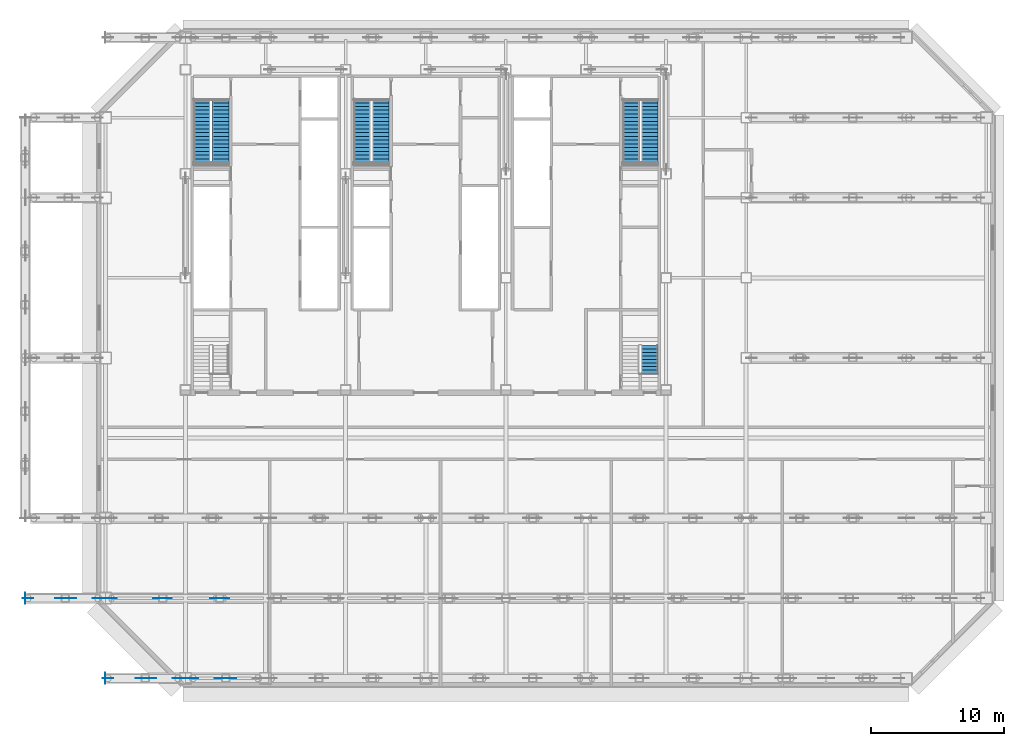
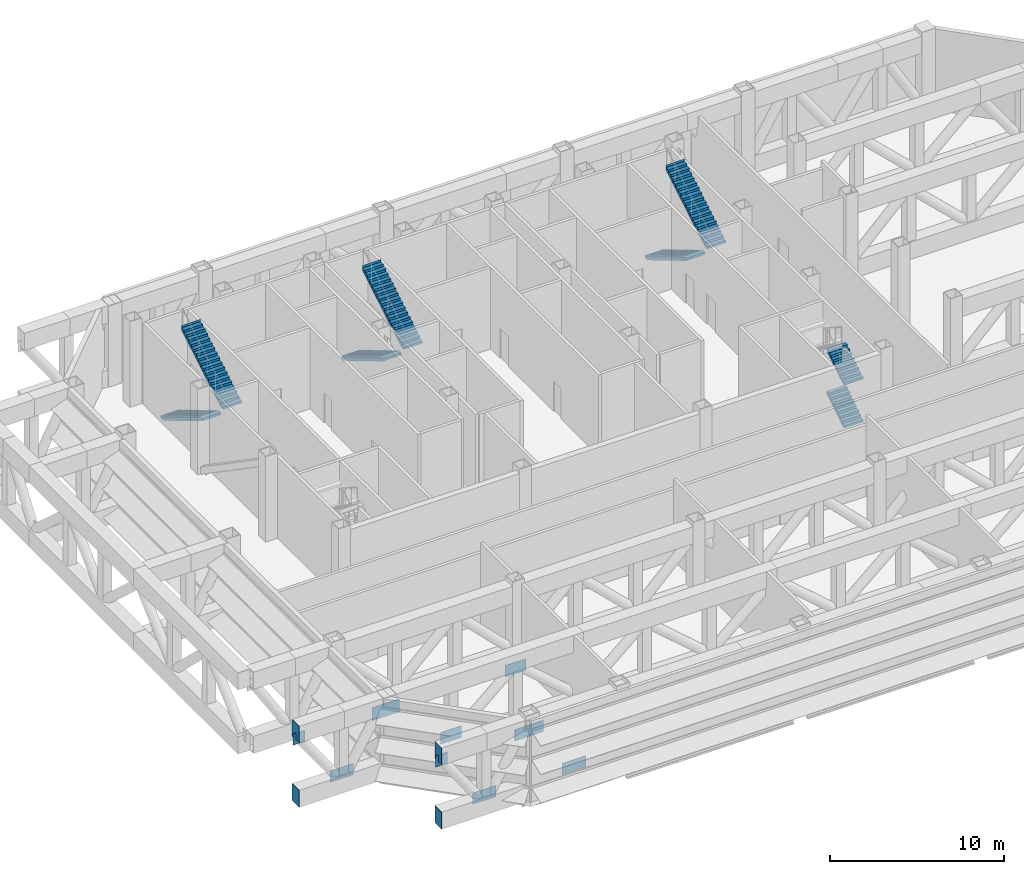
# One storey, part 10 of 17: 13 discrete accessories, 8 stair flights, 4 elements without a shape of their own.
"""IFC4 building model written with IfcOpenShell, lengths in metres."""

import ifcopenshell
import ifcopenshell.guid

model = None  # the IFC model being written
_history = None  # IfcOwnerHistory: only IFC2X3 demands one
_inside = {}  # id of a spatial element -> (the spatial element, [elements in it])
_under = {}  # id of a project, library or spatial element -> (it, [spatial elements below it])
_declared = {}  # id of a project -> (the project, [libraries it declares])
_typed = {}  # id of a type object -> (the type object, [elements of that type])
_made_of = {}  # id of a material, layer set ... -> (it, [elements and type objects made of it])


def new_model(schema):
    """Start an empty IFC model of exactly this schema.

    Asked for "IFC4X3", IfcOpenShell would pick the latest addendum, in which some entities
    have other attributes; the version numbers below select the first issue.
    IFC2X3 requires an IfcOwnerHistory on every rooted entity: one is made here for all.
    """
    global model, _history
    if schema == "IFC4X3":
        model = ifcopenshell.file(schema_version=(4, 3, 0, 0))
    else:
        model = ifcopenshell.file(schema=schema)
    _inside.clear()
    _under.clear()
    _declared.clear()
    _typed.clear()
    _made_of.clear()
    _history = None
    if model.schema == "IFC2X3":
        org = make("IfcOrganization", Name="unknown")
        user = make(
            "IfcPersonAndOrganization",
            ThePerson=make("IfcPerson", FamilyName="unknown"),
            TheOrganization=org,
        )
        app = make(
            "IfcApplication",
            ApplicationDeveloper=org,
            Version="unknown",
            ApplicationFullName="unknown",
            ApplicationIdentifier="unknown",
        )
        _history = make(
            "IfcOwnerHistory",
            OwningUser=user,
            OwningApplication=app,
            ChangeAction="ADDED",
            CreationDate=0,
        )
    return model


def make(cls, **values):
    """One entity of the class cls with the attributes given. An attribute that is None is left unset."""
    return model.create_entity(
        cls, **{name: value for name, value in values.items() if value is not None}
    )


def rooted(cls, **values):
    """An entity with a GlobalId (a new one), such as an element, a storey or a relation."""
    return make(cls, GlobalId=ifcopenshell.guid.new(), OwnerHistory=_history, **values)


def si_unit(unit_type, name, prefix=None):
    """IfcSIUnit, for example si_unit("LENGTHUNIT", "METRE", prefix="MILLI")."""
    return make("IfcSIUnit", UnitType=unit_type, Prefix=prefix, Name=name)


def assignment(units):
    """IfcUnitAssignment: the units of a project."""
    return None if units is None else make("IfcUnitAssignment", Units=units)


def point(xyz):
    """IfcCartesianPoint."""
    return None if xyz is None else make("IfcCartesianPoint", Coordinates=xyz)


def direction(xyz):
    """IfcDirection."""
    return None if xyz is None else make("IfcDirection", DirectionRatios=xyz)


def frame(location, z_axis=None, x_axis=None):
    """IfcAxis2Placement3D, a coordinate frame: its origin and axes. An axis left out is left unset."""
    return make(
        "IfcAxis2Placement3D",
        Location=point(location),
        Axis=direction(z_axis),
        RefDirection=direction(x_axis),
    )


def frame_2d(location, x_axis=None):
    """IfcAxis2Placement2D, a coordinate frame in the plane: its origin and x axis."""
    return make(
        "IfcAxis2Placement2D", Location=point(location), RefDirection=direction(x_axis)
    )


def origin():
    """The frame at (0, 0, 0) with its axes left unset."""
    return frame((0.0, 0.0, 0.0))


def origin_2d():
    """The frame at (0, 0) in the plane with its x axis left unset."""
    return frame_2d((0.0, 0.0))


def place(relative_to, where):
    """IfcLocalPlacement: puts the frame where relative to a parent placement (None: the world)."""
    return make(
        "IfcLocalPlacement", PlacementRelTo=relative_to, RelativePlacement=where
    )


def context(
    kind, dimensions, precision=None, world=None, true_north=None, identifier=None
):
    """IfcGeometricRepresentationContext, for example the 3D "Model" context."""
    return make(
        "IfcGeometricRepresentationContext",
        ContextIdentifier=identifier,
        ContextType=kind,
        CoordinateSpaceDimension=dimensions,
        Precision=precision,
        WorldCoordinateSystem=world,
        TrueNorth=true_north,
    )


def subcontext(parent, identifier, kind, view, scale=None):
    """IfcGeometricRepresentationSubContext, for example "Body" below "Model"."""
    return make(
        "IfcGeometricRepresentationSubContext",
        ContextIdentifier=identifier,
        ContextType=kind,
        ParentContext=parent,
        TargetScale=scale,
        TargetView=view,
    )


def project(units=None, contexts=None):
    """IfcProject with its units and contexts."""
    return rooted(
        "IfcProject",
        Name="project",
        RepresentationContexts=contexts,
        UnitsInContext=assignment(units),
    )


def spatial(cls, under=None, at=None, **own):
    """A site, building, storey or space (cls), placed at a placement, below another one or the project."""
    s = rooted(cls, ObjectPlacement=at, **own)
    if under is not None:
        _under.setdefault(under.id(), (under, []))[1].append(s)
    return s


def polyline(points):
    """IfcPolyline through the points."""
    return make("IfcPolyline", Points=[point(p) for p in points])


def profile(cls, at=None, kind="AREA", **sizes):
    """A parametric profile (cls). Its sizes go by their IFC names, for example OverallWidth=200.0."""
    return make(cls, ProfileType=kind, Position=at, **sizes)


def rectangle(**sizes):
    """IfcRectangleProfileDef."""
    return profile("IfcRectangleProfileDef", **sizes)


def outline(outer, holes=None, kind="AREA"):
    """IfcArbitraryClosedProfileDef: a profile drawn as a closed curve; with holes, ...WithVoids."""
    if holes is None:
        return make("IfcArbitraryClosedProfileDef", ProfileType=kind, OuterCurve=outer)
    return make(
        "IfcArbitraryProfileDefWithVoids",
        ProfileType=kind,
        OuterCurve=outer,
        InnerCurves=holes,
    )


def extrude(swept, where, along, depth):
    """IfcExtrudedAreaSolid: the profile swept, set in the frame where, extruded along a direction by depth."""
    return make(
        "IfcExtrudedAreaSolid",
        SweptArea=swept,
        Position=where,
        ExtrudedDirection=direction(along),
        Depth=depth,
    )


def shape(context_of_items, identifier, shape_type, items):
    """IfcShapeRepresentation: the items that make up one representation, for example the "Body"."""
    return make(
        "IfcShapeRepresentation",
        ContextOfItems=context_of_items,
        RepresentationIdentifier=identifier,
        RepresentationType=shape_type,
        Items=items,
    )


def material(Name=None, Category=None):
    """IfcMaterial."""
    return make("IfcMaterial", Name=Name, Category=Category)


def layer(
    of_material, thickness, ventilated=None, Name=None, Category=None, Priority=None
):
    """IfcMaterialLayer: one layer of a wall or slab, of a material (None: an air gap)."""
    return make(
        "IfcMaterialLayer",
        Material=of_material,
        LayerThickness=thickness,
        IsVentilated=ventilated,
        Name=Name,
        Category=Category,
        Priority=Priority,
    )


def layer_set(layers, Name=None):
    """IfcMaterialLayerSet."""
    return make("IfcMaterialLayerSet", MaterialLayers=layers, LayerSetName=Name)


def made_of(thing, what):
    """Note that an element or type object is made of a material, layer set ...; save() writes the relation."""
    if what is not None:
        _made_of.setdefault(what.id(), (what, []))[1].append(thing)
    return thing


def type_object(cls, material=None, **own):
    """A type object (cls), such as IfcWallType, which elements share."""
    return made_of(rooted(cls, **own), material)


def element(
    cls,
    number,
    at=None,
    inside=None,
    cuts=None,
    type_object=None,
    material=None,
    context=None,
    identifier="Body",
    shape_type=None,
    held_by="IfcProductDefinitionShape",
    body=None,
    shapes=None,
    **own,
):
    """One element of the class cls, such as IfcWall. Its Tag is "e" and its number.

    at: its placement. inside: the storey or other place that contains it. cuts: it is an
    opening in that element (IfcRelVoidsElement). A single representation is given by context,
    identifier, shape_type and body (its items); several are given by shapes. held_by: the class
    of the entity that holds the representations. save() writes the other relations.
    """
    e = rooted(cls, Tag="e%d" % number, ObjectPlacement=at, **own)
    if body is not None:
        shapes = [shape(context, identifier, shape_type, body)]
    if shapes is not None:
        e.Representation = make(held_by, Representations=shapes)
    if inside is not None:
        _inside.setdefault(inside.id(), (inside, []))[1].append(e)
    if cuts is not None:
        rooted(
            "IfcRelVoidsElement", RelatingBuildingElement=cuts, RelatedOpeningElement=e
        )
    if type_object is not None:
        _typed.setdefault(type_object.id(), (type_object, []))[1].append(e)
    return made_of(e, material)


def aggregate(whole, parts):
    """IfcRelAggregates: a whole, such as a stair, and the parts it consists of."""
    return rooted("IfcRelAggregates", RelatingObject=whole, RelatedObjects=parts)


def save(model, path):
    """Write the relations noted so far, then the file.

    IfcRelAggregates (storeys below a building ...), IfcRelContainedInSpatialStructure (elements
    in a storey), IfcRelDefinesByType, IfcRelAssociatesMaterial and IfcRelDeclares: one each for
    every whole, place, type object, material and project.
    """
    for whole, parts in _under.values():
        aggregate(whole, parts)
    for where, things in _inside.values():
        rooted(
            "IfcRelContainedInSpatialStructure",
            RelatedElements=things,
            RelatingStructure=where,
        )
    for kind, things in _typed.values():
        rooted("IfcRelDefinesByType", RelatedObjects=things, RelatingType=kind)
    for what, things in _made_of.values():
        rooted("IfcRelAssociatesMaterial", RelatedObjects=things, RelatingMaterial=what)
    for by, libraries in _declared.values():
        rooted("IfcRelDeclares", RelatingContext=by, RelatedDefinitions=libraries)
    model.write(path)


model = new_model("IFC4")

# Units and contexts
model_context = context("Model", 3, precision=1e-05, world=origin(), true_north=direction((0.0, 1.0)))
body_context = subcontext(model_context, "Body", "Model", "MODEL_VIEW")
ifc_project = project(units=[si_unit("LENGTHUNIT", "METRE"), si_unit("AREAUNIT", "SQUARE_METRE"), si_unit("VOLUMEUNIT", "CUBIC_METRE"), si_unit("PLANEANGLEUNIT", "RADIAN"), si_unit("MASSUNIT", "GRAM", prefix="KILO")], contexts=[model_context])

# Site, building, storey
site_placement = place(None, origin())
site = spatial("IfcSite", under=ifc_project, at=site_placement, CompositionType="ELEMENT")
building_placement = place(site_placement, origin())
building = spatial("IfcBuilding", under=site, at=building_placement, Name="Sorahane Residences", CompositionType="ELEMENT")
storey_placement = place(building_placement, frame((0.0, 0.0, 90.199951171875)))
storey = spatial("IfcBuildingStorey", under=building, at=storey_placement, Name="L19", CompositionType="ELEMENT", Elevation=90.199951171875)

# Stair, stair flights
ifc_material_1 = material(Name="Concrete C40", Category="concrete")
stair_type = type_object("IfcStairType", Name="Dog-leg stair 1250 Concrete C40", PredefinedType="HALF_TURN_STAIR", material=ifc_material_1)
stair_1_placement = place(storey_placement, origin())
stair_1 = element("IfcStair", 1, at=stair_1_placement, inside=storey, type_object=stair_type, Name="L19 Stair S1", PredefinedType="HALF_TURN_STAIR")
ifc_material_2 = material(Name="Concrete C40", Category="concrete")
stair_flight_type = type_object("IfcStairFlightType", Name="Stair flight 1250 Concrete C40", PredefinedType="STRAIGHT", material=ifc_material_2)
stair_flight_1_placement = place(storey_placement, frame((7.22509765625, 43.39990234375, 0.0), z_axis=(0.0, 0.0, 1.0), x_axis=(0.0, -1.0, 0.0)))
stair_flight_1 = element("IfcStairFlight", 2, at=stair_flight_1_placement, type_object=stair_flight_type, Name="S1 flight 1", NumberOfRisers=18, NumberOfTreads=17, PredefinedType="STRAIGHT", RiserHeight=0.166666667, TreadLength=0.28, context=body_context, shape_type="SweptSolid", body=[
    extrude(outline(polyline([(-0.00146484375, 0.0), (-0.00146484375, 0.166748046875), (0.0, 0.166748046875), (0.280029296875, 0.166748046875), (0.280029296875, 0.333251953125), (0.56005859375, 0.333251953125), (0.56005859375, 0.5), (0.840087890625, 0.5), (0.840087890625, 0.666748046875), (1.1201171875, 0.666748046875), (1.1201171875, 0.833251953125), (1.39990234375, 0.833251953125), (1.39990234375, 1.0), (1.679931640625, 1.0), (1.679931640625, 1.166748046875), (1.9599609375, 1.166748046875), (1.9599609375, 1.333251953125), (2.239990234375, 1.333251953125), (2.239990234375, 1.5), (2.52001953125, 1.5), (2.52001953125, 1.666748046875), (2.800048828125, 1.666748046875), (2.800048828125, 1.833251953125), (3.080078125, 1.833251953125), (3.080078125, 2.0), (3.360107421875, 2.0), (3.360107421875, 2.166748046875), (3.639892578125, 2.166748046875), (3.639892578125, 2.333251953125), (3.919921875, 2.333251953125), (3.919921875, 2.5), (4.199951171875, 2.5), (4.199951171875, 2.666748046875), (4.47998046875, 2.666748046875), (4.47998046875, 2.833251953125), (4.760009765625, 2.833251953125), (4.760009765625, 3.0), (4.760009765625, 2.658935546875), (4.52490234375, 2.51904296875), (4.289794921875, 2.37890625), (4.0546875, 2.239013671875), (3.819580078125, 2.09912109375), (3.58447265625, 1.959228515625), (3.349365234375, 1.8193359375), (3.1142578125, 1.67919921875), (2.879150390625, 1.539306640625), (2.64404296875, 1.3994140625), (2.408935546875, 1.259521484375), (2.173828125, 1.11962890625), (1.938720703125, 0.9794921875), (1.70361328125, 0.839599609375), (1.468505859375, 0.69970703125), (1.2333984375, 0.559814453125), (0.998291015625, 0.419921875), (0.76318359375, 0.27978515625), (0.528076171875, 0.139892578125), (0.29296875, 0.0), (-0.00146484375, 0.0)])), frame((0.0, 0.625, 0.0), z_axis=(0.0, -1.0, 0.0), x_axis=(1.0, 0.0, 0.0)), (0.0, 0.0, 1.0), 1.25),
])
stair_flight_2_placement = place(storey_placement, frame((8.625, 38.639892578125, 3.0), z_axis=(0.0, 0.0, 1.0), x_axis=(0.0, 1.0, 0.0)))
stair_flight_2 = element("IfcStairFlight", 3, at=stair_flight_2_placement, type_object=stair_flight_type, Name="S1 flight 2", NumberOfRisers=18, NumberOfTreads=17, PredefinedType="STRAIGHT", RiserHeight=0.166666667, TreadLength=0.28, context=body_context, shape_type="SweptSolid", body=[
    extrude(outline(polyline([(0.0, 0.0), (0.0, 0.166748046875), (0.280029296875, 0.166748046875), (0.280029296875, 0.333251953125), (0.56005859375, 0.333251953125), (0.56005859375, 0.5), (0.840087890625, 0.5), (0.840087890625, 0.666748046875), (1.1201171875, 0.666748046875), (1.1201171875, 0.833251953125), (1.39990234375, 0.833251953125), (1.39990234375, 1.0), (1.679931640625, 1.0), (1.679931640625, 1.166748046875), (1.9599609375, 1.166748046875), (1.9599609375, 1.333251953125), (2.239990234375, 1.333251953125), (2.239990234375, 1.5), (2.52001953125, 1.5), (2.52001953125, 1.666748046875), (2.800048828125, 1.666748046875), (2.800048828125, 1.833251953125), (3.080078125, 1.833251953125), (3.080078125, 2.0), (3.360107421875, 2.0), (3.360107421875, 2.166748046875), (3.639892578125, 2.166748046875), (3.639892578125, 2.333251953125), (3.919921875, 2.333251953125), (3.919921875, 2.5), (4.199951171875, 2.5), (4.199951171875, 2.666748046875), (4.47998046875, 2.666748046875), (4.47998046875, 2.833251953125), (4.760009765625, 2.833251953125), (4.760009765625, 3.0), (4.761474609375, 3.0), (4.761474609375, 2.658935546875), (4.5263671875, 2.51904296875), (4.291259765625, 2.37890625), (4.055908203125, 2.239013671875), (3.82080078125, 2.09912109375), (3.585693359375, 1.959228515625), (3.350341796875, 1.8193359375), (3.115234375, 1.67919921875), (2.880126953125, 1.539306640625), (2.644775390625, 1.3994140625), (2.40966796875, 1.259521484375), (2.174560546875, 1.11962890625), (1.939453125, 0.9794921875), (1.7041015625, 0.839599609375), (1.468994140625, 0.69970703125), (1.23388671875, 0.559814453125), (0.99853515625, 0.419921875), (0.763427734375, 0.27978515625), (0.5283203125, 0.139892578125), (0.29296875, 0.0), (0.0, 0.0)])), frame((0.0, 0.625, 0.0), z_axis=(0.0, -1.0, 0.0), x_axis=(1.0, 0.0, 0.0)), (0.0, 0.0, 1.0), 1.25),
])
aggregate(stair_1, [stair_flight_1, stair_flight_2])

stair_2_placement = place(storey_placement, origin())
stair_2 = element("IfcStair", 4, at=stair_2_placement, inside=storey, type_object=stair_type, Name="L19 Stair S2", PredefinedType="HALF_TURN_STAIR")
stair_flight_3_placement = place(storey_placement, frame((39.375, 43.39990234375, 0.0), z_axis=(0.0, 0.0, 1.0), x_axis=(0.0, -1.0, 0.0)))
stair_flight_3 = element("IfcStairFlight", 5, at=stair_flight_3_placement, type_object=stair_flight_type, Name="S2 flight 1", NumberOfRisers=18, NumberOfTreads=17, PredefinedType="STRAIGHT", RiserHeight=0.166666667, TreadLength=0.28, context=body_context, shape_type="SweptSolid", body=[
    extrude(outline(polyline([(-0.00146484375, 0.0), (-0.00146484375, 0.166748046875), (0.0, 0.166748046875), (0.280029296875, 0.166748046875), (0.280029296875, 0.333251953125), (0.56005859375, 0.333251953125), (0.56005859375, 0.5), (0.840087890625, 0.5), (0.840087890625, 0.666748046875), (1.1201171875, 0.666748046875), (1.1201171875, 0.833251953125), (1.39990234375, 0.833251953125), (1.39990234375, 1.0), (1.679931640625, 1.0), (1.679931640625, 1.166748046875), (1.9599609375, 1.166748046875), (1.9599609375, 1.333251953125), (2.239990234375, 1.333251953125), (2.239990234375, 1.5), (2.52001953125, 1.5), (2.52001953125, 1.666748046875), (2.800048828125, 1.666748046875), (2.800048828125, 1.833251953125), (3.080078125, 1.833251953125), (3.080078125, 2.0), (3.360107421875, 2.0), (3.360107421875, 2.166748046875), (3.639892578125, 2.166748046875), (3.639892578125, 2.333251953125), (3.919921875, 2.333251953125), (3.919921875, 2.5), (4.199951171875, 2.5), (4.199951171875, 2.666748046875), (4.47998046875, 2.666748046875), (4.47998046875, 2.833251953125), (4.760009765625, 2.833251953125), (4.760009765625, 3.0), (4.760009765625, 2.658935546875), (4.52490234375, 2.51904296875), (4.289794921875, 2.37890625), (4.0546875, 2.239013671875), (3.819580078125, 2.09912109375), (3.58447265625, 1.959228515625), (3.349365234375, 1.8193359375), (3.1142578125, 1.67919921875), (2.879150390625, 1.539306640625), (2.64404296875, 1.3994140625), (2.408935546875, 1.259521484375), (2.173828125, 1.11962890625), (1.938720703125, 0.9794921875), (1.70361328125, 0.839599609375), (1.468505859375, 0.69970703125), (1.2333984375, 0.559814453125), (0.998291015625, 0.419921875), (0.76318359375, 0.27978515625), (0.528076171875, 0.139892578125), (0.29296875, 0.0), (-0.00146484375, 0.0)])), frame((0.0, 0.625, 0.0), z_axis=(0.0, -1.0, 0.0), x_axis=(1.0, 0.0, 0.0)), (0.0, 0.0, 1.0), 1.25),
])
stair_flight_4_placement = place(storey_placement, frame((40.77490234375, 38.639892578125, 3.0), z_axis=(0.0, 0.0, 1.0), x_axis=(0.0, 1.0, 0.0)))
stair_flight_4 = element("IfcStairFlight", 6, at=stair_flight_4_placement, type_object=stair_flight_type, Name="S2 flight 2", NumberOfRisers=18, NumberOfTreads=17, PredefinedType="STRAIGHT", RiserHeight=0.166666667, TreadLength=0.28, context=body_context, shape_type="SweptSolid", body=[
    extrude(outline(polyline([(0.0, 0.0), (0.0, 0.166748046875), (0.280029296875, 0.166748046875), (0.280029296875, 0.333251953125), (0.56005859375, 0.333251953125), (0.56005859375, 0.5), (0.840087890625, 0.5), (0.840087890625, 0.666748046875), (1.1201171875, 0.666748046875), (1.1201171875, 0.833251953125), (1.39990234375, 0.833251953125), (1.39990234375, 1.0), (1.679931640625, 1.0), (1.679931640625, 1.166748046875), (1.9599609375, 1.166748046875), (1.9599609375, 1.333251953125), (2.239990234375, 1.333251953125), (2.239990234375, 1.5), (2.52001953125, 1.5), (2.52001953125, 1.666748046875), (2.800048828125, 1.666748046875), (2.800048828125, 1.833251953125), (3.080078125, 1.833251953125), (3.080078125, 2.0), (3.360107421875, 2.0), (3.360107421875, 2.166748046875), (3.639892578125, 2.166748046875), (3.639892578125, 2.333251953125), (3.919921875, 2.333251953125), (3.919921875, 2.5), (4.199951171875, 2.5), (4.199951171875, 2.666748046875), (4.47998046875, 2.666748046875), (4.47998046875, 2.833251953125), (4.760009765625, 2.833251953125), (4.760009765625, 3.0), (4.761474609375, 3.0), (4.761474609375, 2.658935546875), (4.5263671875, 2.51904296875), (4.291259765625, 2.37890625), (4.055908203125, 2.239013671875), (3.82080078125, 2.09912109375), (3.585693359375, 1.959228515625), (3.350341796875, 1.8193359375), (3.115234375, 1.67919921875), (2.880126953125, 1.539306640625), (2.644775390625, 1.3994140625), (2.40966796875, 1.259521484375), (2.174560546875, 1.11962890625), (1.939453125, 0.9794921875), (1.7041015625, 0.839599609375), (1.468994140625, 0.69970703125), (1.23388671875, 0.559814453125), (0.99853515625, 0.419921875), (0.763427734375, 0.27978515625), (0.5283203125, 0.139892578125), (0.29296875, 0.0), (0.0, 0.0)])), frame((0.0, 0.625, 0.0), z_axis=(0.0, -1.0, 0.0), x_axis=(1.0, 0.0, 0.0)), (0.0, 0.0, 1.0), 1.25),
])
aggregate(stair_2, [stair_flight_3, stair_flight_4])

stair_3_placement = place(storey_placement, origin())
stair_3 = element("IfcStair", 7, at=stair_3_placement, inside=storey, type_object=stair_type, Name="L19 Stair S3", PredefinedType="HALF_TURN_STAIR")
stair_flight_5_placement = place(storey_placement, frame((19.22509765625, 43.39990234375, 0.0), z_axis=(0.0, 0.0, 1.0), x_axis=(0.0, -1.0, 0.0)))
stair_flight_5 = element("IfcStairFlight", 8, at=stair_flight_5_placement, type_object=stair_flight_type, Name="S3 flight 1", NumberOfRisers=18, NumberOfTreads=17, PredefinedType="STRAIGHT", RiserHeight=0.166666667, TreadLength=0.28, context=body_context, shape_type="SweptSolid", body=[
    extrude(outline(polyline([(-0.00146484375, 0.0), (-0.00146484375, 0.166748046875), (0.0, 0.166748046875), (0.280029296875, 0.166748046875), (0.280029296875, 0.333251953125), (0.56005859375, 0.333251953125), (0.56005859375, 0.5), (0.840087890625, 0.5), (0.840087890625, 0.666748046875), (1.1201171875, 0.666748046875), (1.1201171875, 0.833251953125), (1.39990234375, 0.833251953125), (1.39990234375, 1.0), (1.679931640625, 1.0), (1.679931640625, 1.166748046875), (1.9599609375, 1.166748046875), (1.9599609375, 1.333251953125), (2.239990234375, 1.333251953125), (2.239990234375, 1.5), (2.52001953125, 1.5), (2.52001953125, 1.666748046875), (2.800048828125, 1.666748046875), (2.800048828125, 1.833251953125), (3.080078125, 1.833251953125), (3.080078125, 2.0), (3.360107421875, 2.0), (3.360107421875, 2.166748046875), (3.639892578125, 2.166748046875), (3.639892578125, 2.333251953125), (3.919921875, 2.333251953125), (3.919921875, 2.5), (4.199951171875, 2.5), (4.199951171875, 2.666748046875), (4.47998046875, 2.666748046875), (4.47998046875, 2.833251953125), (4.760009765625, 2.833251953125), (4.760009765625, 3.0), (4.760009765625, 2.658935546875), (4.52490234375, 2.51904296875), (4.289794921875, 2.37890625), (4.0546875, 2.239013671875), (3.819580078125, 2.09912109375), (3.58447265625, 1.959228515625), (3.349365234375, 1.8193359375), (3.1142578125, 1.67919921875), (2.879150390625, 1.539306640625), (2.64404296875, 1.3994140625), (2.408935546875, 1.259521484375), (2.173828125, 1.11962890625), (1.938720703125, 0.9794921875), (1.70361328125, 0.839599609375), (1.468505859375, 0.69970703125), (1.2333984375, 0.559814453125), (0.998291015625, 0.419921875), (0.76318359375, 0.27978515625), (0.528076171875, 0.139892578125), (0.29296875, 0.0), (-0.00146484375, 0.0)])), frame((0.0, 0.625, 0.0), z_axis=(0.0, -1.0, 0.0), x_axis=(1.0, 0.0, 0.0)), (0.0, 0.0, 1.0), 1.25),
])
stair_flight_6_placement = place(storey_placement, frame((20.625, 38.639892578125, 3.0), z_axis=(0.0, 0.0, 1.0), x_axis=(0.0, 1.0, 0.0)))
stair_flight_6 = element("IfcStairFlight", 9, at=stair_flight_6_placement, type_object=stair_flight_type, Name="S3 flight 2", NumberOfRisers=18, NumberOfTreads=17, PredefinedType="STRAIGHT", RiserHeight=0.166666667, TreadLength=0.28, context=body_context, shape_type="SweptSolid", body=[
    extrude(outline(polyline([(0.0, 0.0), (0.0, 0.166748046875), (0.280029296875, 0.166748046875), (0.280029296875, 0.333251953125), (0.56005859375, 0.333251953125), (0.56005859375, 0.5), (0.840087890625, 0.5), (0.840087890625, 0.666748046875), (1.1201171875, 0.666748046875), (1.1201171875, 0.833251953125), (1.39990234375, 0.833251953125), (1.39990234375, 1.0), (1.679931640625, 1.0), (1.679931640625, 1.166748046875), (1.9599609375, 1.166748046875), (1.9599609375, 1.333251953125), (2.239990234375, 1.333251953125), (2.239990234375, 1.5), (2.52001953125, 1.5), (2.52001953125, 1.666748046875), (2.800048828125, 1.666748046875), (2.800048828125, 1.833251953125), (3.080078125, 1.833251953125), (3.080078125, 2.0), (3.360107421875, 2.0), (3.360107421875, 2.166748046875), (3.639892578125, 2.166748046875), (3.639892578125, 2.333251953125), (3.919921875, 2.333251953125), (3.919921875, 2.5), (4.199951171875, 2.5), (4.199951171875, 2.666748046875), (4.47998046875, 2.666748046875), (4.47998046875, 2.833251953125), (4.760009765625, 2.833251953125), (4.760009765625, 3.0), (4.761474609375, 3.0), (4.761474609375, 2.658935546875), (4.5263671875, 2.51904296875), (4.291259765625, 2.37890625), (4.055908203125, 2.239013671875), (3.82080078125, 2.09912109375), (3.585693359375, 1.959228515625), (3.350341796875, 1.8193359375), (3.115234375, 1.67919921875), (2.880126953125, 1.539306640625), (2.644775390625, 1.3994140625), (2.40966796875, 1.259521484375), (2.174560546875, 1.11962890625), (1.939453125, 0.9794921875), (1.7041015625, 0.839599609375), (1.468994140625, 0.69970703125), (1.23388671875, 0.559814453125), (0.99853515625, 0.419921875), (0.763427734375, 0.27978515625), (0.5283203125, 0.139892578125), (0.29296875, 0.0), (0.0, 0.0)])), frame((0.0, 0.625, 0.0), z_axis=(0.0, -1.0, 0.0), x_axis=(1.0, 0.0, 0.0)), (0.0, 0.0, 1.0), 1.25),
])
aggregate(stair_3, [stair_flight_5, stair_flight_6])

stair_4_placement = place(storey_placement, origin())
stair_4 = element("IfcStair", 10, at=stair_4_placement, inside=storey, type_object=stair_type, Name="L19 Stair S5", PredefinedType="HALF_TURN_STAIR")
stair_flight_7_placement = place(storey_placement, frame((40.77490234375, 22.85009765625, 0.0), z_axis=(0.0, 0.0, 1.0), x_axis=(0.0, 1.0, 0.0)))
stair_flight_7 = element("IfcStairFlight", 11, at=stair_flight_7_placement, type_object=stair_flight_type, Name="S5 flight 1", NumberOfRisers=9, NumberOfTreads=8, PredefinedType="STRAIGHT", RiserHeight=0.166666667, TreadLength=0.26, context=body_context, shape_type="SweptSolid", body=[
    extrude(outline(polyline([(-0.00146484375, 0.0), (-0.00146484375, 0.001953125), (-0.00146484375, 0.004150390625), (-0.00146484375, 0.006103515625), (-0.00146484375, 0.00830078125), (-0.00146484375, 0.01025390625), (-0.00146484375, 0.012451171875), (-0.00146484375, 0.014404296875), (-0.00146484375, 0.016357421875), (-0.00146484375, 0.0185546875), (-0.00146484375, 0.0205078125), (-0.00146484375, 0.022705078125), (-0.00146484375, 0.024658203125), (-0.00146484375, 0.02685546875), (-0.00146484375, 0.02880859375), (-0.00146484375, 0.03076171875), (-0.00146484375, 0.032958984375), (-0.00146484375, 0.034912109375), (-0.00146484375, 0.037109375), (-0.00146484375, 0.0390625), (-0.00146484375, 0.041259765625), (-0.00146484375, 0.043212890625), (-0.00146484375, 0.045166015625), (-0.00146484375, 0.04736328125), (-0.00146484375, 0.04931640625), (-0.00146484375, 0.051513671875), (-0.00146484375, 0.053466796875), (-0.00146484375, 0.0556640625), (-0.00146484375, 0.0576171875), (-0.00146484375, 0.0595703125), (-0.00146484375, 0.061767578125), (-0.00146484375, 0.063720703125), (-0.00146484375, 0.06591796875), (-0.00146484375, 0.06787109375), (-0.00146484375, 0.070068359375), (-0.00146484375, 0.072021484375), (-0.00146484375, 0.073974609375), (-0.00146484375, 0.076171875), (-0.00146484375, 0.078125), (-0.00146484375, 0.080322265625), (-0.00146484375, 0.082275390625), (-0.00146484375, 0.08447265625), (-0.00146484375, 0.08642578125), (-0.00146484375, 0.08837890625), (-0.00146484375, 0.090576171875), (-0.00146484375, 0.092529296875), (-0.00146484375, 0.0947265625), (-0.00146484375, 0.0966796875), (-0.00146484375, 0.098876953125), (-0.00146484375, 0.100830078125), (-0.00146484375, 0.102783203125), (-0.00146484375, 0.10498046875), (-0.00146484375, 0.10693359375), (-0.00146484375, 0.109130859375), (-0.00146484375, 0.111083984375), (-0.00146484375, 0.11328125), (-0.00146484375, 0.115234375), (-0.00146484375, 0.1171875), (-0.00146484375, 0.119384765625), (-0.00146484375, 0.121337890625), (-0.00146484375, 0.12353515625), (-0.00146484375, 0.12548828125), (-0.00146484375, 0.127685546875), (-0.00146484375, 0.129638671875), (-0.00146484375, 0.131591796875), (-0.00146484375, 0.1337890625), (-0.00146484375, 0.1357421875), (-0.00146484375, 0.137939453125), (-0.00146484375, 0.139892578125), (-0.00146484375, 0.14208984375), (-0.00146484375, 0.14404296875), (-0.00146484375, 0.14599609375), (-0.00146484375, 0.148193359375), (-0.00146484375, 0.150146484375), (-0.00146484375, 0.15234375), (-0.00146484375, 0.154296875), (-0.00146484375, 0.156494140625), (-0.00146484375, 0.158447265625), (-0.00146484375, 0.160400390625), (-0.00146484375, 0.16259765625), (-0.00146484375, 0.16455078125), (-0.00146484375, 0.166748046875), (0.0, 0.166748046875), (0.260009765625, 0.166748046875), (0.260009765625, 0.333251953125), (0.52001953125, 0.333251953125), (0.52001953125, 0.5), (0.780029296875, 0.5), (0.780029296875, 0.666748046875), (1.0400390625, 0.666748046875), (1.0400390625, 0.833251953125), (1.300048828125, 0.833251953125), (1.300048828125, 1.0), (1.56005859375, 1.0), (1.56005859375, 1.166748046875), (1.820068359375, 1.166748046875), (1.820068359375, 1.333251953125), (2.080078125, 1.333251953125), (2.080078125, 1.5), (2.080078125, 1.49609375), (2.080078125, 1.492431640625), (2.080078125, 1.488525390625), (2.080078125, 1.484619140625), (2.080078125, 1.48095703125), (2.080078125, 1.47705078125), (2.080078125, 1.47314453125), (2.080078125, 1.469482421875), (2.080078125, 1.465576171875), (2.080078125, 1.4619140625), (2.080078125, 1.4580078125), (2.080078125, 1.4541015625), (2.080078125, 1.450439453125), (2.080078125, 1.446533203125), (2.080078125, 1.442626953125), (2.080078125, 1.43896484375), (2.080078125, 1.43505859375), (2.080078125, 1.43115234375), (2.080078125, 1.427490234375), (2.080078125, 1.423583984375), (2.080078125, 1.419677734375), (2.080078125, 1.416015625), (2.080078125, 1.412109375), (2.080078125, 1.408447265625), (2.080078125, 1.404541015625), (2.080078125, 1.400634765625), (2.080078125, 1.39697265625), (2.080078125, 1.39306640625), (2.080078125, 1.38916015625), (2.080078125, 1.385498046875), (2.080078125, 1.381591796875), (2.080078125, 1.377685546875), (2.080078125, 1.3740234375), (2.080078125, 1.3701171875), (2.080078125, 1.3662109375), (2.080078125, 1.362548828125), (2.080078125, 1.358642578125), (2.080078125, 1.35498046875), (2.080078125, 1.35107421875), (2.080078125, 1.34716796875), (2.080078125, 1.343505859375), (2.080078125, 1.339599609375), (2.080078125, 1.335693359375), (2.080078125, 1.33203125), (2.080078125, 1.328125), (2.080078125, 1.32421875), (2.080078125, 1.320556640625), (2.080078125, 1.316650390625), (2.080078125, 1.312744140625), (2.080078125, 1.30908203125), (2.080078125, 1.30517578125), (2.080078125, 1.301513671875), (2.080078125, 1.297607421875), (2.080078125, 1.293701171875), (2.080078125, 1.2900390625), (2.080078125, 1.2861328125), (2.080078125, 1.2822265625), (2.080078125, 1.278564453125), (2.080078125, 1.274658203125), (2.080078125, 1.270751953125), (2.080078125, 1.26708984375), (2.080078125, 1.26318359375), (2.080078125, 1.25927734375), (2.080078125, 1.255615234375), (2.080078125, 1.251708984375), (2.080078125, 1.248046875), (2.080078125, 1.244140625), (2.080078125, 1.240234375), (2.080078125, 1.236572265625), (2.080078125, 1.232666015625), (2.080078125, 1.228759765625), (2.080078125, 1.22509765625), (2.080078125, 1.22119140625), (2.080078125, 1.21728515625), (2.080078125, 1.213623046875), (2.080078125, 1.209716796875), (2.080078125, 1.205810546875), (2.080078125, 1.2021484375), (2.080078125, 1.1982421875), (2.080078125, 1.194580078125), (2.080078125, 1.190673828125), (1.894287109375, 1.071533203125), (1.70849609375, 0.95263671875), (1.522705078125, 0.83349609375), (1.3369140625, 0.71435546875), (1.1513671875, 0.59521484375), (0.965576171875, 0.476318359375), (0.77978515625, 0.357177734375), (0.593994140625, 0.238037109375), (0.408203125, 0.119140625), (0.22265625, 0.0), (-0.00146484375, 0.0)])), frame((0.0, 0.625, 0.0), z_axis=(0.0, -1.0, 0.0), x_axis=(1.0, 0.0, 0.0)), (0.0, 0.0, 1.0), 1.25),
])
stair_flight_8_placement = place(storey_placement, frame((40.77490234375, 22.85009765625, 3.0), z_axis=(0.0, 0.0, 1.0), x_axis=(0.0, 1.0, 0.0)))
stair_flight_8 = element("IfcStairFlight", 12, at=stair_flight_8_placement, type_object=stair_flight_type, Name="S5 flight 3", NumberOfRisers=9, NumberOfTreads=8, PredefinedType="STRAIGHT", RiserHeight=0.166666667, TreadLength=0.26, context=body_context, shape_type="SweptSolid", body=[
    extrude(outline(polyline([(0.0, 0.0), (0.0, 0.001953125), (0.0, 0.004150390625), (0.0, 0.006103515625), (0.0, 0.00830078125), (0.0, 0.01025390625), (0.0, 0.012451171875), (0.0, 0.014404296875), (0.0, 0.016357421875), (0.0, 0.0185546875), (0.0, 0.0205078125), (0.0, 0.022705078125), (0.0, 0.024658203125), (0.0, 0.02685546875), (0.0, 0.02880859375), (0.0, 0.03076171875), (0.0, 0.032958984375), (0.0, 0.034912109375), (0.0, 0.037109375), (0.0, 0.0390625), (0.0, 0.041259765625), (0.0, 0.043212890625), (0.0, 0.045166015625), (0.0, 0.04736328125), (0.0, 0.04931640625), (0.0, 0.051513671875), (0.0, 0.053466796875), (0.0, 0.0556640625), (0.0, 0.0576171875), (0.0, 0.0595703125), (0.0, 0.061767578125), (0.0, 0.063720703125), (0.0, 0.06591796875), (0.0, 0.06787109375), (0.0, 0.070068359375), (0.0, 0.072021484375), (0.0, 0.073974609375), (0.0, 0.076171875), (0.0, 0.078125), (0.0, 0.080322265625), (0.0, 0.082275390625), (0.0, 0.08447265625), (0.0, 0.08642578125), (0.0, 0.08837890625), (0.0, 0.090576171875), (0.0, 0.092529296875), (0.0, 0.0947265625), (0.0, 0.0966796875), (0.0, 0.098876953125), (0.0, 0.100830078125), (0.0, 0.102783203125), (0.0, 0.10498046875), (0.0, 0.10693359375), (0.0, 0.109130859375), (0.0, 0.111083984375), (0.0, 0.11328125), (0.0, 0.115234375), (0.0, 0.1171875), (0.0, 0.119384765625), (0.0, 0.121337890625), (0.0, 0.12353515625), (0.0, 0.12548828125), (0.0, 0.127685546875), (0.0, 0.129638671875), (0.0, 0.131591796875), (0.0, 0.1337890625), (0.0, 0.1357421875), (0.0, 0.137939453125), (0.0, 0.139892578125), (0.0, 0.14208984375), (0.0, 0.14404296875), (0.0, 0.14599609375), (0.0, 0.148193359375), (0.0, 0.150146484375), (0.0, 0.15234375), (0.0, 0.154296875), (0.0, 0.156494140625), (0.0, 0.158447265625), (0.0, 0.160400390625), (0.0, 0.16259765625), (0.0, 0.16455078125), (0.0, 0.166748046875), (0.260009765625, 0.166748046875), (0.260009765625, 0.333251953125), (0.52001953125, 0.333251953125), (0.52001953125, 0.5), (0.780029296875, 0.5), (0.780029296875, 0.666748046875), (1.0400390625, 0.666748046875), (1.0400390625, 0.833251953125), (1.300048828125, 0.833251953125), (1.300048828125, 1.0), (1.56005859375, 1.0), (1.56005859375, 1.166748046875), (1.820068359375, 1.166748046875), (1.820068359375, 1.333251953125), (2.080078125, 1.333251953125), (2.080078125, 1.5), (2.080078125, 1.49609375), (2.080078125, 1.492431640625), (2.080078125, 1.488525390625), (2.080078125, 1.484619140625), (2.080078125, 1.48095703125), (2.080078125, 1.47705078125), (2.080078125, 1.47314453125), (2.080078125, 1.469482421875), (2.080078125, 1.465576171875), (2.080078125, 1.4619140625), (2.080078125, 1.4580078125), (2.080078125, 1.4541015625), (2.080078125, 1.450439453125), (2.080078125, 1.446533203125), (2.080078125, 1.442626953125), (2.080078125, 1.43896484375), (2.080078125, 1.43505859375), (2.080078125, 1.43115234375), (2.080078125, 1.427490234375), (2.080078125, 1.423583984375), (2.080078125, 1.419677734375), (2.080078125, 1.416015625), (2.080078125, 1.412109375), (2.080078125, 1.408447265625), (2.080078125, 1.404541015625), (2.080078125, 1.400634765625), (2.080078125, 1.39697265625), (2.080078125, 1.39306640625), (2.080078125, 1.38916015625), (2.080078125, 1.385498046875), (2.080078125, 1.381591796875), (2.080078125, 1.377685546875), (2.080078125, 1.3740234375), (2.080078125, 1.3701171875), (2.080078125, 1.3662109375), (2.080078125, 1.362548828125), (2.080078125, 1.358642578125), (2.080078125, 1.35498046875), (2.080078125, 1.35107421875), (2.080078125, 1.34716796875), (2.080078125, 1.343505859375), (2.080078125, 1.339599609375), (2.080078125, 1.335693359375), (2.080078125, 1.33203125), (2.080078125, 1.328125), (2.080078125, 1.32421875), (2.080078125, 1.320556640625), (2.080078125, 1.316650390625), (2.080078125, 1.312744140625), (2.080078125, 1.30908203125), (2.080078125, 1.30517578125), (2.080078125, 1.301513671875), (2.080078125, 1.297607421875), (2.080078125, 1.293701171875), (2.080078125, 1.2900390625), (2.080078125, 1.2861328125), (2.080078125, 1.2822265625), (2.080078125, 1.278564453125), (2.080078125, 1.274658203125), (2.080078125, 1.270751953125), (2.080078125, 1.26708984375), (2.080078125, 1.26318359375), (2.080078125, 1.25927734375), (2.080078125, 1.255615234375), (2.080078125, 1.251708984375), (2.080078125, 1.248046875), (2.080078125, 1.244140625), (2.080078125, 1.240234375), (2.080078125, 1.236572265625), (2.080078125, 1.232666015625), (2.080078125, 1.228759765625), (2.080078125, 1.22509765625), (2.080078125, 1.22119140625), (2.080078125, 1.21728515625), (2.080078125, 1.213623046875), (2.080078125, 1.209716796875), (2.080078125, 1.205810546875), (2.080078125, 1.2021484375), (2.080078125, 1.1982421875), (2.080078125, 1.194580078125), (2.080078125, 1.190673828125), (1.87353515625, 1.058349609375), (1.667236328125, 0.926025390625), (1.4609375, 0.793701171875), (1.25439453125, 0.661376953125), (1.048095703125, 0.529296875), (0.841796875, 0.39697265625), (0.63525390625, 0.2646484375), (0.428955078125, 0.13232421875), (0.22265625, 0.0), (0.0, 0.0)])), frame((0.0, 0.625, 0.0), z_axis=(0.0, -1.0, 0.0), x_axis=(1.0, 0.0, 0.0)), (0.0, 0.0, 1.0), 1.25),
])
aggregate(stair_4, [stair_flight_7, stair_flight_8])

# Discrete accessories
ifc_material_3 = material(Name="Steel Q420GJ", Category="steel")
ifc_layer_1 = layer(ifc_material_3, 0.02001953125)
ifc_layer_set_1 = layer_set([ifc_layer_1], Name="End plate Steel Q420GJ 800x1200x20")
discrete_accessory_type_1 = type_object("IfcDiscreteAccessoryType", Name="End plate Steel Q420GJ 800x1200x20", PredefinedType="USERDEFINED", material=ifc_layer_set_1)
for number, where, z_axis, x_axis, name in (
    (13, (-0.010009765625, 0.0, 0.0), (0.0, 0.0, 1.0), (1.0, 0.0, 0.0), "End plate L19"),
    (14, (-0.010009765625, 0.0, 4.5), (0.0, 0.0, 1.0), (1.0, 0.0, 0.0), "End plate L19"),
    (15, (-6.010009765625, 6.0, 0.0), (0.0, 0.0, 1.0), (1.0, 0.0, 0.0), "End plate L19"),
    (16, (-6.010009765625, 6.0, 4.5), (0.0, 0.0, 1.0), (1.0, 0.0, 0.0), "End plate L19"),
):
    element("IfcDiscreteAccessory", number, at=place(storey_placement, frame(where, z_axis=z_axis, x_axis=x_axis)), inside=storey, type_object=discrete_accessory_type_1, Name=name, ObjectType="END PLATE", PredefinedType="USERDEFINED", context=body_context, shape_type="SweptSolid", body=[
        extrude(rectangle(XDim=0.02001953125, YDim=0.800048828125, at=origin_2d()), origin(), (0.0, 0.0, 1.0), 1.199951171875),
    ])
ifc_material_4 = material(Name="Steel Q420GJ", Category="steel")
ifc_layer_2 = layer(ifc_material_4, 0.02490234375)
ifc_layer_set_2 = layer_set([ifc_layer_2], Name="Node plate Steel Q420GJ 25")
discrete_accessory_type_2 = type_object("IfcDiscreteAccessoryType", Name="Node plate Steel Q420GJ 25", PredefinedType="BRACKET", material=ifc_layer_set_2)
discrete_accessory_1_placement = place(storey_placement, frame((3.027587890625, 0.0, 0.70849609375), z_axis=(0.0, 0.0, 1.0), x_axis=(1.0, 0.0, 0.0)))
element("IfcDiscreteAccessory", 17, at=discrete_accessory_1_placement, inside=storey, type_object=discrete_accessory_type_2, Name="Node plate L19 tr", PredefinedType="BRACKET", context=body_context, shape_type="SweptSolid", body=[
    extrude(rectangle(XDim=1.540283203125, YDim=0.02490234375, at=origin_2d()), origin(), (0.0, 0.0, 1.0), 0.80712890625),
])
discrete_accessory_2_placement = place(storey_placement, frame((9.0, 0.0, 0.71533203125), z_axis=(0.0, 0.0, 1.0), x_axis=(1.0, 0.0, 0.0)))
element("IfcDiscreteAccessory", 18, at=discrete_accessory_2_placement, inside=storey, type_object=discrete_accessory_type_2, Name="Node plate L19 tr", PredefinedType="BRACKET", context=body_context, shape_type="SweptSolid", body=[
    extrude(rectangle(XDim=1.595458984375, YDim=0.02490234375, at=origin_2d()), origin(), (0.0, 0.0, 1.0), 0.800048828125),
])
discrete_accessory_3_placement = place(storey_placement, frame((0.192626953125, 0.0, 4.19189453125), z_axis=(0.0, 0.0, 1.0), x_axis=(1.0, 0.0, 0.0)))
element("IfcDiscreteAccessory", 19, at=discrete_accessory_3_placement, inside=storey, type_object=discrete_accessory_type_2, Name="Node plate L19 tr", PredefinedType="BRACKET", context=body_context, shape_type="SweptSolid", body=[
    extrude(rectangle(XDim=0.800048828125, YDim=0.02490234375, at=origin_2d()), origin(), (0.0, 0.0, 1.0), 0.800048828125),
])
discrete_accessory_4_placement = place(storey_placement, frame((6.0, 0.0, 4.1845703125), z_axis=(0.0, 0.0, 1.0), x_axis=(1.0, 0.0, 0.0)))
element("IfcDiscreteAccessory", 20, at=discrete_accessory_4_placement, inside=storey, type_object=discrete_accessory_type_2, Name="Node plate L19 tr", PredefinedType="BRACKET", context=body_context, shape_type="SweptSolid", body=[
    extrude(rectangle(XDim=1.8955078125, YDim=0.02490234375, at=origin_2d()), origin(), (0.0, 0.0, 1.0), 0.800048828125),
])
discrete_accessory_5_placement = place(storey_placement, frame((-2.972412109375, 6.0, 0.70849609375), z_axis=(0.0, 0.0, 1.0), x_axis=(1.0, 0.0, 0.0)))
element("IfcDiscreteAccessory", 21, at=discrete_accessory_5_placement, inside=storey, type_object=discrete_accessory_type_2, Name="Node plate L19 tr", PredefinedType="BRACKET", context=body_context, shape_type="SweptSolid", body=[
    extrude(rectangle(XDim=1.540283203125, YDim=0.02490234375, at=origin_2d()), origin(), (0.0, 0.0, 1.0), 0.80712890625),
])
discrete_accessory_6_placement = place(storey_placement, frame((4.28564453125, 6.0, 0.83203125), z_axis=(0.0, 0.0, 1.0), x_axis=(1.0, 0.0, 0.0)))
element("IfcDiscreteAccessory", 22, at=discrete_accessory_6_placement, inside=storey, type_object=discrete_accessory_type_2, Name="Node plate L19 tr", PredefinedType="BRACKET", context=body_context, shape_type="SweptSolid", body=[
    extrude(rectangle(XDim=1.39990234375, YDim=0.02490234375, at=origin_2d()), origin(), (0.0, 0.0, 1.0), 0.81787109375),
])
discrete_accessory_7_placement = place(storey_placement, frame((-5.807373046875, 6.0, 4.19189453125), z_axis=(0.0, 0.0, 1.0), x_axis=(1.0, 0.0, 0.0)))
element("IfcDiscreteAccessory", 23, at=discrete_accessory_7_placement, inside=storey, type_object=discrete_accessory_type_2, Name="Node plate L19 tr", PredefinedType="BRACKET", context=body_context, shape_type="SweptSolid", body=[
    extrude(rectangle(XDim=0.800048828125, YDim=0.02490234375, at=origin_2d()), origin(), (0.0, 0.0, 1.0), 0.800048828125),
])
discrete_accessory_8_placement = place(storey_placement, frame((-0.048828125, 6.0, 4.068115234375), z_axis=(0.0, 0.0, 1.0), x_axis=(1.0, 0.0, 0.0)))
element("IfcDiscreteAccessory", 24, at=discrete_accessory_8_placement, inside=storey, type_object=discrete_accessory_type_2, Name="Node plate L19 tr", PredefinedType="BRACKET", context=body_context, shape_type="SweptSolid", body=[
    extrude(rectangle(XDim=1.797607421875, YDim=0.02490234375, at=origin_2d()), origin(), (0.0, 0.0, 1.0), 0.91650390625),
])
discrete_accessory_9_placement = place(storey_placement, frame((8.5712890625, 6.0, 4.05029296875), z_axis=(0.0, 0.0, 1.0), x_axis=(1.0, 0.0, 0.0)))
element("IfcDiscreteAccessory", 25, at=discrete_accessory_9_placement, inside=storey, type_object=discrete_accessory_type_2, Name="Node plate L19 tr", PredefinedType="BRACKET", context=body_context, shape_type="SweptSolid", body=[
    extrude(rectangle(XDim=1.39990234375, YDim=0.02490234375, at=origin_2d()), origin(), (0.0, 0.0, 1.0), 0.800048828125),
])

save(model, "model.ifc")
